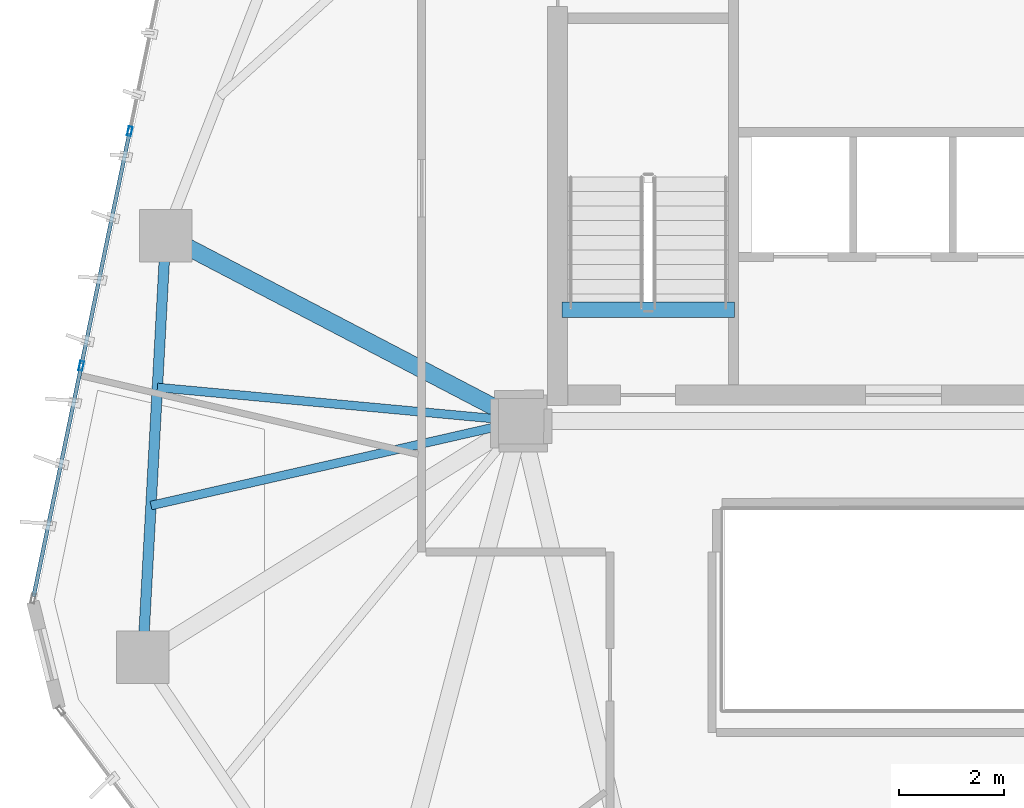
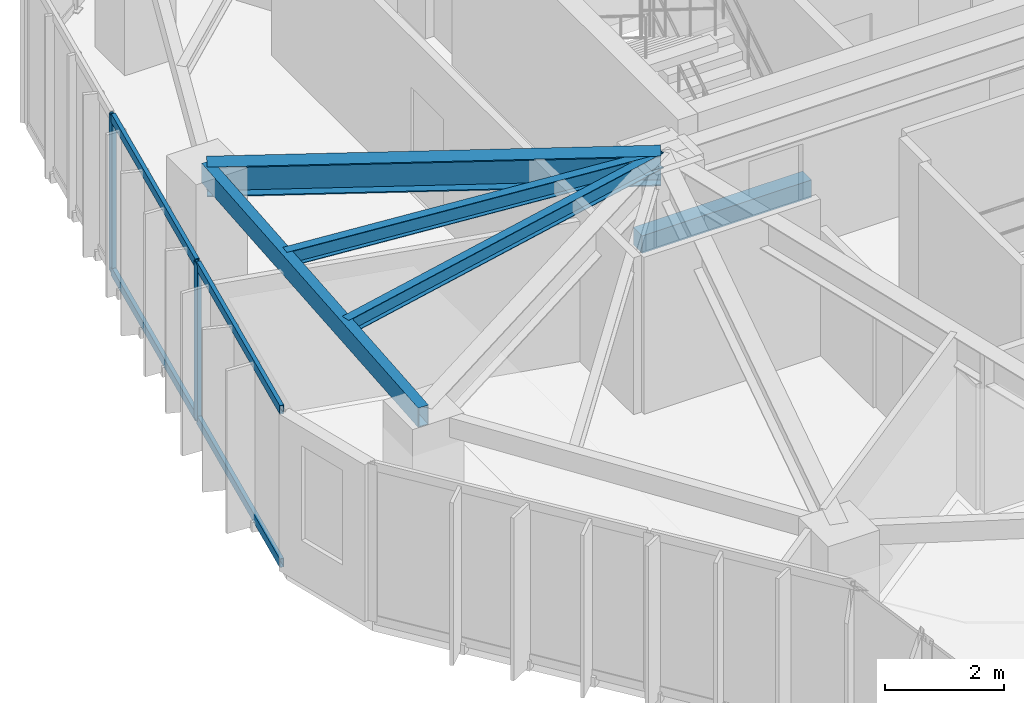
# One storey, part 6 of 20: 6 members, 5 beams, 1 element without a shape of its own.
"""IFC4 building model written with IfcOpenShell, lengths in metres."""

import ifcopenshell
import ifcopenshell.guid

model = None  # the IFC model being written
_history = None  # IfcOwnerHistory: only IFC2X3 demands one
_inside = {}  # id of a spatial element -> (the spatial element, [elements in it])
_under = {}  # id of a project, library or spatial element -> (it, [spatial elements below it])
_declared = {}  # id of a project -> (the project, [libraries it declares])
_typed = {}  # id of a type object -> (the type object, [elements of that type])
_made_of = {}  # id of a material, layer set ... -> (it, [elements and type objects made of it])


def new_model(schema):
    """Start an empty IFC model of exactly this schema.

    Asked for "IFC4X3", IfcOpenShell would pick the latest addendum, in which some entities
    have other attributes; the version numbers below select the first issue.
    IFC2X3 requires an IfcOwnerHistory on every rooted entity: one is made here for all.
    """
    global model, _history
    if schema == "IFC4X3":
        model = ifcopenshell.file(schema_version=(4, 3, 0, 0))
    else:
        model = ifcopenshell.file(schema=schema)
    _inside.clear()
    _under.clear()
    _declared.clear()
    _typed.clear()
    _made_of.clear()
    _history = None
    if model.schema == "IFC2X3":
        org = make("IfcOrganization", Name="unknown")
        user = make(
            "IfcPersonAndOrganization",
            ThePerson=make("IfcPerson", FamilyName="unknown"),
            TheOrganization=org,
        )
        app = make(
            "IfcApplication",
            ApplicationDeveloper=org,
            Version="unknown",
            ApplicationFullName="unknown",
            ApplicationIdentifier="unknown",
        )
        _history = make(
            "IfcOwnerHistory",
            OwningUser=user,
            OwningApplication=app,
            ChangeAction="ADDED",
            CreationDate=0,
        )
    return model


def make(cls, **values):
    """One entity of the class cls with the attributes given. An attribute that is None is left unset."""
    return model.create_entity(
        cls, **{name: value for name, value in values.items() if value is not None}
    )


def rooted(cls, **values):
    """An entity with a GlobalId (a new one), such as an element, a storey or a relation."""
    return make(cls, GlobalId=ifcopenshell.guid.new(), OwnerHistory=_history, **values)


def si_unit(unit_type, name, prefix=None):
    """IfcSIUnit, for example si_unit("LENGTHUNIT", "METRE", prefix="MILLI")."""
    return make("IfcSIUnit", UnitType=unit_type, Prefix=prefix, Name=name)


def assignment(units):
    """IfcUnitAssignment: the units of a project."""
    return None if units is None else make("IfcUnitAssignment", Units=units)


def point(xyz):
    """IfcCartesianPoint."""
    return None if xyz is None else make("IfcCartesianPoint", Coordinates=xyz)


def direction(xyz):
    """IfcDirection."""
    return None if xyz is None else make("IfcDirection", DirectionRatios=xyz)


def frame(location, z_axis=None, x_axis=None):
    """IfcAxis2Placement3D, a coordinate frame: its origin and axes. An axis left out is left unset."""
    return make(
        "IfcAxis2Placement3D",
        Location=point(location),
        Axis=direction(z_axis),
        RefDirection=direction(x_axis),
    )


def frame_2d(location, x_axis=None):
    """IfcAxis2Placement2D, a coordinate frame in the plane: its origin and x axis."""
    return make(
        "IfcAxis2Placement2D", Location=point(location), RefDirection=direction(x_axis)
    )


def origin():
    """The frame at (0, 0, 0) with its axes left unset."""
    return frame((0.0, 0.0, 0.0))


def origin_2d():
    """The frame at (0, 0) in the plane with its x axis left unset."""
    return frame_2d((0.0, 0.0))


def place(relative_to, where):
    """IfcLocalPlacement: puts the frame where relative to a parent placement (None: the world)."""
    return make(
        "IfcLocalPlacement", PlacementRelTo=relative_to, RelativePlacement=where
    )


def context(
    kind, dimensions, precision=None, world=None, true_north=None, identifier=None
):
    """IfcGeometricRepresentationContext, for example the 3D "Model" context."""
    return make(
        "IfcGeometricRepresentationContext",
        ContextIdentifier=identifier,
        ContextType=kind,
        CoordinateSpaceDimension=dimensions,
        Precision=precision,
        WorldCoordinateSystem=world,
        TrueNorth=true_north,
    )


def subcontext(parent, identifier, kind, view, scale=None):
    """IfcGeometricRepresentationSubContext, for example "Body" below "Model"."""
    return make(
        "IfcGeometricRepresentationSubContext",
        ContextIdentifier=identifier,
        ContextType=kind,
        ParentContext=parent,
        TargetScale=scale,
        TargetView=view,
    )


def project(units=None, contexts=None):
    """IfcProject with its units and contexts."""
    return rooted(
        "IfcProject",
        Name="project",
        RepresentationContexts=contexts,
        UnitsInContext=assignment(units),
    )


def spatial(cls, under=None, at=None, **own):
    """A site, building, storey or space (cls), placed at a placement, below another one or the project."""
    s = rooted(cls, ObjectPlacement=at, **own)
    if under is not None:
        _under.setdefault(under.id(), (under, []))[1].append(s)
    return s


def profile(cls, at=None, kind="AREA", **sizes):
    """A parametric profile (cls). Its sizes go by their IFC names, for example OverallWidth=200.0."""
    return make(cls, ProfileType=kind, Position=at, **sizes)


def rectangle(**sizes):
    """IfcRectangleProfileDef."""
    return profile("IfcRectangleProfileDef", **sizes)


def hollow_rectangle(**sizes):
    """IfcRectangleHollowProfileDef."""
    return profile("IfcRectangleHollowProfileDef", **sizes)


def i_section(**sizes):
    """IfcIShapeProfileDef."""
    return profile("IfcIShapeProfileDef", **sizes)


def extrude(swept, where, along, depth):
    """IfcExtrudedAreaSolid: the profile swept, set in the frame where, extruded along a direction by depth."""
    return make(
        "IfcExtrudedAreaSolid",
        SweptArea=swept,
        Position=where,
        ExtrudedDirection=direction(along),
        Depth=depth,
    )


def shape(context_of_items, identifier, shape_type, items):
    """IfcShapeRepresentation: the items that make up one representation, for example the "Body"."""
    return make(
        "IfcShapeRepresentation",
        ContextOfItems=context_of_items,
        RepresentationIdentifier=identifier,
        RepresentationType=shape_type,
        Items=items,
    )


def source(mapping_origin, context_of_items, identifier, shape_type, items):
    """IfcRepresentationMap: a shape defined once, which mapped items show again and again."""
    return make(
        "IfcRepresentationMap",
        MappingOrigin=mapping_origin,
        MappedRepresentation=shape(context_of_items, identifier, shape_type, items),
    )


def transform(
    local_origin,
    x_axis=None,
    y_axis=None,
    z_axis=None,
    scale=None,
    scale2=None,
    scale3=None,
    uniform=True,
):
    """IfcCartesianTransformationOperator3D, or its non-uniform kind. x_axis, y_axis, z_axis: its Axis1, 2, 3."""
    if uniform:
        return make(
            "IfcCartesianTransformationOperator3D",
            Axis1=direction(x_axis),
            Axis2=direction(y_axis),
            LocalOrigin=point(local_origin),
            Scale=scale,
            Axis3=direction(z_axis),
        )
    return make(
        "IfcCartesianTransformationOperator3DnonUniform",
        Axis1=direction(x_axis),
        Axis2=direction(y_axis),
        LocalOrigin=point(local_origin),
        Scale=scale,
        Axis3=direction(z_axis),
        Scale2=scale2,
        Scale3=scale3,
    )


def mapped(mapping_source, mapping_target):
    """IfcMappedItem: shows the shape of a source again, moved by a transform."""
    return make(
        "IfcMappedItem", MappingSource=mapping_source, MappingTarget=mapping_target
    )


def material(Name=None, Category=None):
    """IfcMaterial."""
    return make("IfcMaterial", Name=Name, Category=Category)


def layer(
    of_material, thickness, ventilated=None, Name=None, Category=None, Priority=None
):
    """IfcMaterialLayer: one layer of a wall or slab, of a material (None: an air gap)."""
    return make(
        "IfcMaterialLayer",
        Material=of_material,
        LayerThickness=thickness,
        IsVentilated=ventilated,
        Name=Name,
        Category=Category,
        Priority=Priority,
    )


def layer_set(layers, Name=None):
    """IfcMaterialLayerSet."""
    return make("IfcMaterialLayerSet", MaterialLayers=layers, LayerSetName=Name)


def material_profile(
    of_material, cross_section, Name=None, Category=None, Priority=None
):
    """IfcMaterialProfile: a cross section and its material."""
    return make(
        "IfcMaterialProfile",
        Name=Name,
        Material=of_material,
        Profile=cross_section,
        Priority=Priority,
        Category=Category,
    )


def profile_set(profiles, Name=None, composite=None):
    """IfcMaterialProfileSet."""
    return make(
        "IfcMaterialProfileSet",
        Name=Name,
        MaterialProfiles=profiles,
        CompositeProfile=composite,
    )


def made_of(thing, what):
    """Note that an element or type object is made of a material, layer set ...; save() writes the relation."""
    if what is not None:
        _made_of.setdefault(what.id(), (what, []))[1].append(thing)
    return thing


def type_object(cls, material=None, **own):
    """A type object (cls), such as IfcWallType, which elements share."""
    return made_of(rooted(cls, **own), material)


def type_shapes(of_type, sources):
    """Give a type object the sources (RepresentationMaps) that its elements show as mapped items."""
    of_type.RepresentationMaps = sources


def element(
    cls,
    number,
    at=None,
    inside=None,
    cuts=None,
    type_object=None,
    material=None,
    context=None,
    identifier="Body",
    shape_type=None,
    held_by="IfcProductDefinitionShape",
    body=None,
    shapes=None,
    **own,
):
    """One element of the class cls, such as IfcWall. Its Tag is "e" and its number.

    at: its placement. inside: the storey or other place that contains it. cuts: it is an
    opening in that element (IfcRelVoidsElement). A single representation is given by context,
    identifier, shape_type and body (its items); several are given by shapes. held_by: the class
    of the entity that holds the representations. save() writes the other relations.
    """
    e = rooted(cls, Tag="e%d" % number, ObjectPlacement=at, **own)
    if body is not None:
        shapes = [shape(context, identifier, shape_type, body)]
    if shapes is not None:
        e.Representation = make(held_by, Representations=shapes)
    if inside is not None:
        _inside.setdefault(inside.id(), (inside, []))[1].append(e)
    if cuts is not None:
        rooted(
            "IfcRelVoidsElement", RelatingBuildingElement=cuts, RelatedOpeningElement=e
        )
    if type_object is not None:
        _typed.setdefault(type_object.id(), (type_object, []))[1].append(e)
    return made_of(e, material)


def aggregate(whole, parts):
    """IfcRelAggregates: a whole, such as a stair, and the parts it consists of."""
    return rooted("IfcRelAggregates", RelatingObject=whole, RelatedObjects=parts)


def save(model, path):
    """Write the relations noted so far, then the file.

    IfcRelAggregates (storeys below a building ...), IfcRelContainedInSpatialStructure (elements
    in a storey), IfcRelDefinesByType, IfcRelAssociatesMaterial and IfcRelDeclares: one each for
    every whole, place, type object, material and project.
    """
    for whole, parts in _under.values():
        aggregate(whole, parts)
    for where, things in _inside.values():
        rooted(
            "IfcRelContainedInSpatialStructure",
            RelatedElements=things,
            RelatingStructure=where,
        )
    for kind, things in _typed.values():
        rooted("IfcRelDefinesByType", RelatedObjects=things, RelatingType=kind)
    for what, things in _made_of.values():
        rooted("IfcRelAssociatesMaterial", RelatedObjects=things, RelatingMaterial=what)
    for by, libraries in _declared.values():
        rooted("IfcRelDeclares", RelatingContext=by, RelatedDefinitions=libraries)
    model.write(path)


model = new_model("IFC4")

# Units and contexts
model_context = context("Model", 3, precision=1e-05, world=origin(), true_north=direction((0.0, 1.0)))
body_context = subcontext(model_context, "Body", "Model", "MODEL_VIEW")
ifc_project = project(units=[si_unit("LENGTHUNIT", "METRE"), si_unit("AREAUNIT", "SQUARE_METRE"), si_unit("VOLUMEUNIT", "CUBIC_METRE"), si_unit("PLANEANGLEUNIT", "RADIAN"), si_unit("MASSUNIT", "GRAM", prefix="KILO")], contexts=[model_context])

# Site, building, storey
site_placement = place(None, origin())
site = spatial("IfcSite", under=ifc_project, at=site_placement, CompositionType="ELEMENT")
building_placement = place(site_placement, origin())
building = spatial("IfcBuilding", under=site, at=building_placement, Name="Talar Marvaseh", CompositionType="ELEMENT")
storey_placement = place(building_placement, frame((0.0, 0.0, 191.5)))
storey = spatial("IfcBuildingStorey", under=building, at=storey_placement, Name="L50", CompositionType="ELEMENT", Elevation=191.5)

# Beams
ifc_material_1 = material(Name="Concrete C40/50", Category="concrete")
ifc_material_profile_1 = material_profile(ifc_material_1, rectangle(XDim=0.300048828125, YDim=0.360107421875, at=origin_2d()), Name="RC300x360")
ifc_profile_set_1 = profile_set([ifc_material_profile_1], Name="Concrete C40/50")
beam_type_1 = type_object("IfcBeamType", Name="Concrete Stair Landing Trimmer Beam RC300x360", PredefinedType="SPANDREL", material=ifc_profile_set_1)
beam_1_placement = place(storey_placement, frame((22.780029296875, 27.6298828125, -0.179931640625), z_axis=(-1.0, 0.0, 0.0), x_axis=(0.0, -1.0, 0.0)))
element("IfcBeam", 1, at=beam_1_placement, inside=storey, type_object=beam_type_1, Name="L50 ST-1 Stair Nosing Trimmer Beam", PredefinedType="SPANDREL", context=body_context, shape_type="SweptSolid", body=[
    extrude(rectangle(XDim=0.300048828125, YDim=0.360107421875, at=origin_2d()), origin(), (0.0, 0.0, 1.0), 3.300048828125),
])
ifc_material_2 = material(Name="Steel S355", Category="steel")
ifc_material_profile_2 = material_profile(ifc_material_2, hollow_rectangle(XDim=0.199951171875, YDim=0.39990234375, WallThickness=0.013916015625, at=origin_2d()), Name="RHS400x200x14")
ifc_profile_set_2 = profile_set([ifc_material_profile_2], Name="Steel S355")
beam_type_2 = type_object("IfcBeamType", Name="Zone 3 Perimeter Spandrel Beam RHS400x200x14", PredefinedType="SPANDREL", material=ifc_profile_set_2)
beam_2_placement = place(storey_placement, frame((11.471923828125, 20.986083984375, 3.030029296875), z_axis=(0.054148078426, 0.998532916635, 0.0), x_axis=(-0.998532916635, 0.054148078426, 0.0)))
element("IfcBeam", 2, at=beam_2_placement, inside=storey, type_object=beam_type_2, Name="L50 Zone 3 Perimeter Spandrel Beam RHS400x200x14", PredefinedType="SPANDREL", context=body_context, shape_type="SweptSolid", body=[
    extrude(hollow_rectangle(XDim=0.199951171875, YDim=0.39990234375, WallThickness=0.013916015625, at=origin_2d()), origin(), (0.0, 0.0, 1.0), 8.070556640625),
])
ifc_material_profile_3 = material_profile(ifc_material_2, i_section(OverallWidth=0.324951171875, OverallDepth=0.615966796875, WebThickness=0.013916015625, FlangeThickness=0.021484375, at=origin_2d()), Name="W610x174")
ifc_profile_set_3 = profile_set([ifc_material_profile_3], Name="Steel S355")
beam_type_3 = type_object("IfcBeamType", Name="Zone 3 Radial Floor Girder W610x174", PredefinedType="BEAM", material=ifc_profile_set_3)
beam_3_placement = place(storey_placement, frame((11.908935546875, 29.044921875, 2.922119140625), z_axis=(0.886489360055, -0.462748975697, 0.0), x_axis=(0.462748975697, 0.886489360055, 0.0)))
element("IfcBeam", 3, at=beam_3_placement, inside=storey, type_object=beam_type_3, Name="L50 Zone 3 Radial Floor Girder W610x174", PredefinedType="BEAM", context=body_context, shape_type="SweptSolid", body=[
    extrude(i_section(OverallWidth=0.324951171875, OverallDepth=0.615966796875, WebThickness=0.013916015625, FlangeThickness=0.021484375, at=origin_2d()), origin(), (0.0, 0.0, 1.0), 7.66064453125),
])
ifc_material_profile_4 = material_profile(ifc_material_2, i_section(OverallWidth=0.166015625, OverallDepth=0.31298828125, WebThickness=0.006591796875, FlangeThickness=0.01123046875, at=origin_2d()), Name="W310x45")
ifc_profile_set_4 = profile_set([ifc_material_profile_4], Name="Steel S355")
beam_type_4 = type_object("IfcBeamType", Name="Zone 3 Secondary Floor Joist W310x45", PredefinedType="JOIST", material=ifc_profile_set_4)
beam_4_placement = place(storey_placement, frame((11.62939453125, 23.88720703125, 3.073486328125), z_axis=(0.974958279205, 0.222387845462, 0.0), x_axis=(-0.222387845462, 0.974958279205, 0.0)))
element("IfcBeam", 4, at=beam_4_placement, inside=storey, type_object=beam_type_4, Name="L50 Zone 3 Secondary Floor Joist W310x45", PredefinedType="JOIST", context=body_context, shape_type="SweptSolid", body=[
    extrude(i_section(OverallWidth=0.166015625, OverallDepth=0.31298828125, WebThickness=0.006591796875, FlangeThickness=0.01123046875, at=origin_2d()), origin(), (0.0, 0.0, 1.0), 7.252197265625),
])
beam_5_placement = place(storey_placement, frame((11.751708984375, 26.143798828125, 3.073486328125), z_axis=(0.995734842854, -0.092261165868, 0.0), x_axis=(0.092261165868, 0.995734842854, 0.0)))
element("IfcBeam", 5, at=beam_5_placement, inside=storey, type_object=beam_type_4, Name="L50 Zone 3 Secondary Floor Joist W310x45", PredefinedType="JOIST", context=body_context, shape_type="SweptSolid", body=[
    extrude(i_section(OverallWidth=0.166015625, OverallDepth=0.31298828125, WebThickness=0.006591796875, FlangeThickness=0.01123046875, at=origin_2d()), origin(), (0.0, 0.0, 1.0), 6.97802734375),
])

# Curtain wall, members
ifc_material_3 = material(Name="Architectural Aluminium", Category="aluminium")
ifc_layer = layer(ifc_material_3, 0.18994140625)
ifc_layer_set = layer_set([ifc_layer], Name="Architectural Aluminium")
curtain_wall_type = type_object("IfcCurtainWallType", Name="Unitised Solar Atelier Curtain Wall Z3", PredefinedType="NOTDEFINED", material=ifc_layer_set)
curtain_wall_placement = place(storey_placement, origin())
curtain_wall = element("IfcCurtainWall", 6, at=curtain_wall_placement, inside=storey, type_object=curtain_wall_type, Name="L50 Unitised Solar Atelier Curtain Wall Z3", PredefinedType="NOTDEFINED")
ifc_material_profile_5 = material_profile(ifc_material_3, hollow_rectangle(XDim=0.074951171875, YDim=0.179931640625, WallThickness=0.0048828125, at=origin_2d()), Name="RHS180x75x5")
ifc_profile_set_5 = profile_set([ifc_material_profile_5], Name="Architectural Aluminium")
member_type_1 = type_object("IfcMemberType", Name="Unitised Curtain Wall Standard Mullion RHS180x75x5", PredefinedType="MULLION", material=ifc_profile_set_5)
shared_shape_1 = source(origin(), body_context, "Body", "SweptSolid", [
    extrude(hollow_rectangle(XDim=0.074951171875, YDim=0.179931640625, WallThickness=0.0048828125, at=origin_2d()), origin(), (0.0, 0.0, 1.0), 3.22998046875),
])
type_shapes(member_type_1, [shared_shape_1])
member_1_placement = place(storey_placement, frame((10.298095703125, 26.556396484375, 0.0), z_axis=(0.0, 0.0, 1.0), x_axis=(-0.979286418832, 0.202479899967, 0.0)))
member_1 = element("IfcMember", 7, at=member_1_placement, type_object=member_type_1, Name="CW-Z3 mullion 2", PredefinedType="MULLION", context=body_context, shape_type="MappedRepresentation", body=[
    mapped(shared_shape_1, transform((0.0, 0.0, 0.0), x_axis=(1.0, 0.0, 0.0), y_axis=(0.0, 1.0, 0.0), z_axis=(0.0, 0.0, 1.0), scale=1.0)),
])
member_2_placement = place(storey_placement, frame((11.22509765625, 31.038818359375, 0.0), z_axis=(0.0, 0.0, 1.0), x_axis=(-0.979286418832, 0.202479899967, 0.0)))
member_2 = element("IfcMember", 8, at=member_2_placement, type_object=member_type_1, Name="CW-Z3 mullion 3", PredefinedType="MULLION", context=body_context, shape_type="MappedRepresentation", body=[
    mapped(shared_shape_1, transform((0.0, 0.0, 0.0), x_axis=(1.0, 0.0, 0.0), y_axis=(0.0, 1.0, 0.0), z_axis=(0.0, 0.0, 1.0), scale=1.0)),
])
ifc_material_profile_6 = material_profile(ifc_material_3, hollow_rectangle(XDim=0.074951171875, YDim=0.179931640625, WallThickness=0.0048828125, at=origin_2d()), Name="RHS180x75x5")
ifc_profile_set_6 = profile_set([ifc_material_profile_6], Name="Architectural Aluminium")
member_type_2 = type_object("IfcMemberType", Name="Unitised Curtain Wall Transom RHS180x75x5", PredefinedType="USERDEFINED", material=ifc_profile_set_6)
shared_shape_2 = source(origin(), body_context, "Body", "SweptSolid", [
    extrude(hollow_rectangle(XDim=0.074951171875, YDim=0.179931640625, WallThickness=0.0048828125, at=origin_2d()), origin(), (0.0, 0.0, 1.0), 4.502197265625),
])
member_3_placement = place(storey_placement, frame((10.305908203125, 26.59326171875, 0.03759765625), z_axis=(0.202431664393, 0.979296390911, 0.0), x_axis=(-0.979296390911, 0.202431664393, 0.0)))
member_3 = element("IfcMember", 9, at=member_3_placement, type_object=member_type_2, Name="CW-Z3 transom 2.1", ObjectType="TRANSOM", PredefinedType="USERDEFINED", context=body_context, shape_type="MappedRepresentation", body=[
    mapped(shared_shape_2, transform((0.0, 0.0, 0.0), x_axis=(1.0, 0.0, 0.0), y_axis=(0.0, 1.0, 0.0), z_axis=(0.0, 0.0, 1.0), scale=1.0)),
])
member_4_placement = place(storey_placement, frame((10.305908203125, 26.59326171875, 3.1923828125), z_axis=(0.202431664393, 0.979296390911, 0.0), x_axis=(-0.979296390911, 0.202431664393, 0.0)))
member_4 = element("IfcMember", 10, at=member_4_placement, type_object=member_type_2, Name="CW-Z3 transom 2.2", ObjectType="TRANSOM", PredefinedType="USERDEFINED", context=body_context, shape_type="MappedRepresentation", body=[
    mapped(shared_shape_2, transform((0.0, 0.0, 0.0), x_axis=(1.0, 0.0, 0.0), y_axis=(0.0, 1.0, 0.0), z_axis=(0.0, 0.0, 1.0), scale=1.0)),
])
shared_shape_3 = source(origin(), body_context, "Body", "SweptSolid", [
    extrude(hollow_rectangle(XDim=0.074951171875, YDim=0.179931640625, WallThickness=0.0048828125, at=origin_2d()), origin(), (0.0, 0.0, 1.0), 4.46484375),
])
type_shapes(member_type_2, [shared_shape_2, shared_shape_3])
member_5_placement = place(storey_placement, frame((9.386474609375, 22.1474609375, 0.03759765625), z_axis=(0.202484455898, 0.979285476825, 0.0), x_axis=(-0.979285476825, 0.202484455898, 0.0)))
member_5 = element("IfcMember", 11, at=member_5_placement, type_object=member_type_2, Name="CW-Z3 transom 1.1", ObjectType="TRANSOM", PredefinedType="USERDEFINED", context=body_context, shape_type="MappedRepresentation", body=[
    mapped(shared_shape_3, transform((0.0, 0.0, 0.0), x_axis=(1.0, 0.0, 0.0), y_axis=(0.0, 1.0, 0.0), z_axis=(0.0, 0.0, 1.0), scale=1.0)),
])
member_6_placement = place(storey_placement, frame((9.386474609375, 22.1474609375, 3.1923828125), z_axis=(0.202484455898, 0.979285476825, 0.0), x_axis=(-0.979285476825, 0.202484455898, 0.0)))
member_6 = element("IfcMember", 12, at=member_6_placement, type_object=member_type_2, Name="CW-Z3 transom 1.2", ObjectType="TRANSOM", PredefinedType="USERDEFINED", context=body_context, shape_type="MappedRepresentation", body=[
    mapped(shared_shape_3, transform((0.0, 0.0, 0.0), x_axis=(1.0, 0.0, 0.0), y_axis=(0.0, 1.0, 0.0), z_axis=(0.0, 0.0, 1.0), scale=1.0)),
])
aggregate(curtain_wall, [member_1, member_2, member_5, member_6, member_3, member_4])

save(model, "model.ifc")
